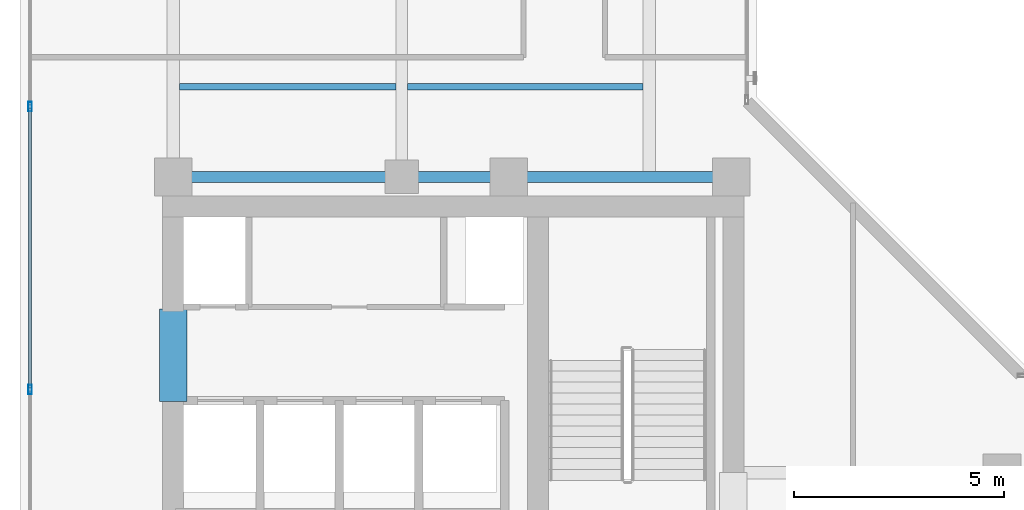
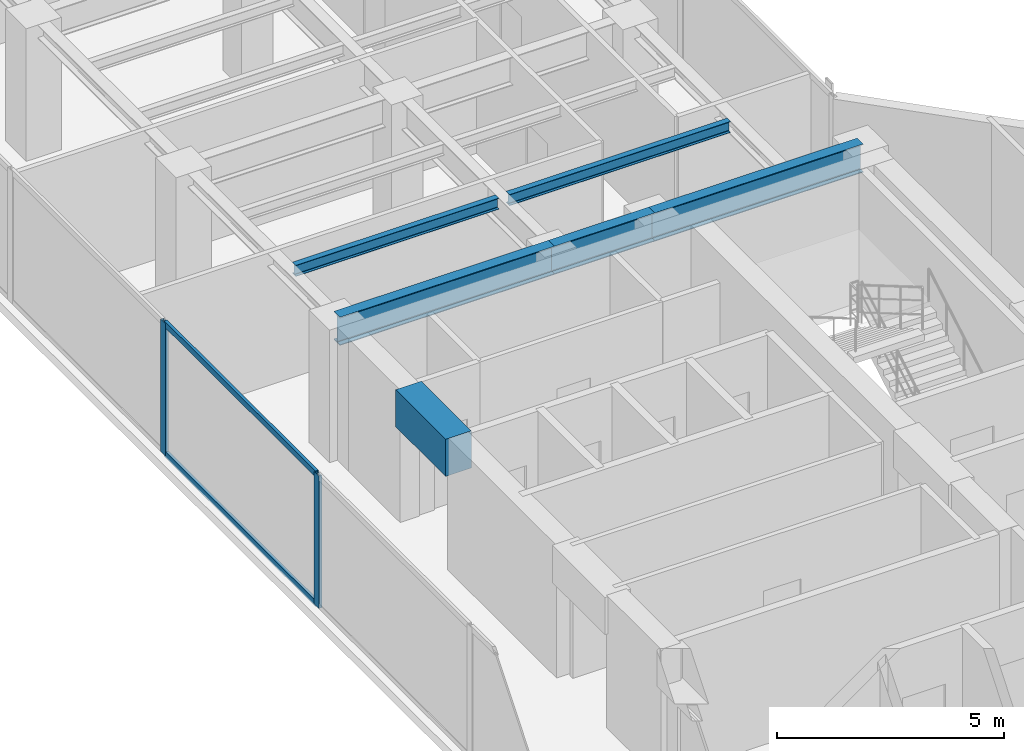
# One storey, part 7 of 22: 6 beams, 4 members, 1 element without a shape of its own.
"""IFC4 building model written with IfcOpenShell, lengths in metres."""

import ifcopenshell
import ifcopenshell.guid

model = None  # the IFC model being written
_history = None  # IfcOwnerHistory: only IFC2X3 demands one
_inside = {}  # id of a spatial element -> (the spatial element, [elements in it])
_under = {}  # id of a project, library or spatial element -> (it, [spatial elements below it])
_declared = {}  # id of a project -> (the project, [libraries it declares])
_typed = {}  # id of a type object -> (the type object, [elements of that type])
_made_of = {}  # id of a material, layer set ... -> (it, [elements and type objects made of it])


def new_model(schema):
    """Start an empty IFC model of exactly this schema.

    Asked for "IFC4X3", IfcOpenShell would pick the latest addendum, in which some entities
    have other attributes; the version numbers below select the first issue.
    IFC2X3 requires an IfcOwnerHistory on every rooted entity: one is made here for all.
    """
    global model, _history
    if schema == "IFC4X3":
        model = ifcopenshell.file(schema_version=(4, 3, 0, 0))
    else:
        model = ifcopenshell.file(schema=schema)
    _inside.clear()
    _under.clear()
    _declared.clear()
    _typed.clear()
    _made_of.clear()
    _history = None
    if model.schema == "IFC2X3":
        org = make("IfcOrganization", Name="unknown")
        user = make(
            "IfcPersonAndOrganization",
            ThePerson=make("IfcPerson", FamilyName="unknown"),
            TheOrganization=org,
        )
        app = make(
            "IfcApplication",
            ApplicationDeveloper=org,
            Version="unknown",
            ApplicationFullName="unknown",
            ApplicationIdentifier="unknown",
        )
        _history = make(
            "IfcOwnerHistory",
            OwningUser=user,
            OwningApplication=app,
            ChangeAction="ADDED",
            CreationDate=0,
        )
    return model


def make(cls, **values):
    """One entity of the class cls with the attributes given. An attribute that is None is left unset."""
    return model.create_entity(
        cls, **{name: value for name, value in values.items() if value is not None}
    )


def rooted(cls, **values):
    """An entity with a GlobalId (a new one), such as an element, a storey or a relation."""
    return make(cls, GlobalId=ifcopenshell.guid.new(), OwnerHistory=_history, **values)


def si_unit(unit_type, name, prefix=None):
    """IfcSIUnit, for example si_unit("LENGTHUNIT", "METRE", prefix="MILLI")."""
    return make("IfcSIUnit", UnitType=unit_type, Prefix=prefix, Name=name)


def assignment(units):
    """IfcUnitAssignment: the units of a project."""
    return None if units is None else make("IfcUnitAssignment", Units=units)


def point(xyz):
    """IfcCartesianPoint."""
    return None if xyz is None else make("IfcCartesianPoint", Coordinates=xyz)


def direction(xyz):
    """IfcDirection."""
    return None if xyz is None else make("IfcDirection", DirectionRatios=xyz)


def frame(location, z_axis=None, x_axis=None):
    """IfcAxis2Placement3D, a coordinate frame: its origin and axes. An axis left out is left unset."""
    return make(
        "IfcAxis2Placement3D",
        Location=point(location),
        Axis=direction(z_axis),
        RefDirection=direction(x_axis),
    )


def frame_2d(location, x_axis=None):
    """IfcAxis2Placement2D, a coordinate frame in the plane: its origin and x axis."""
    return make(
        "IfcAxis2Placement2D", Location=point(location), RefDirection=direction(x_axis)
    )


def origin():
    """The frame at (0, 0, 0) with its axes left unset."""
    return frame((0.0, 0.0, 0.0))


def origin_with_axes():
    """The frame at (0, 0, 0) with the z axis (0, 0, 1) and the x axis (1, 0, 0) written out."""
    return frame((0.0, 0.0, 0.0), z_axis=(0.0, 0.0, 1.0), x_axis=(1.0, 0.0, 0.0))


def origin_2d():
    """The frame at (0, 0) in the plane with its x axis left unset."""
    return frame_2d((0.0, 0.0))


def place(relative_to, where):
    """IfcLocalPlacement: puts the frame where relative to a parent placement (None: the world)."""
    return make(
        "IfcLocalPlacement", PlacementRelTo=relative_to, RelativePlacement=where
    )


def context(
    kind, dimensions, precision=None, world=None, true_north=None, identifier=None
):
    """IfcGeometricRepresentationContext, for example the 3D "Model" context."""
    return make(
        "IfcGeometricRepresentationContext",
        ContextIdentifier=identifier,
        ContextType=kind,
        CoordinateSpaceDimension=dimensions,
        Precision=precision,
        WorldCoordinateSystem=world,
        TrueNorth=true_north,
    )


def subcontext(parent, identifier, kind, view, scale=None):
    """IfcGeometricRepresentationSubContext, for example "Body" below "Model"."""
    return make(
        "IfcGeometricRepresentationSubContext",
        ContextIdentifier=identifier,
        ContextType=kind,
        ParentContext=parent,
        TargetScale=scale,
        TargetView=view,
    )


def project(units=None, contexts=None):
    """IfcProject with its units and contexts."""
    return rooted(
        "IfcProject",
        Name="project",
        RepresentationContexts=contexts,
        UnitsInContext=assignment(units),
    )


def spatial(cls, under=None, at=None, **own):
    """A site, building, storey or space (cls), placed at a placement, below another one or the project."""
    s = rooted(cls, ObjectPlacement=at, **own)
    if under is not None:
        _under.setdefault(under.id(), (under, []))[1].append(s)
    return s


def profile(cls, at=None, kind="AREA", **sizes):
    """A parametric profile (cls). Its sizes go by their IFC names, for example OverallWidth=200.0."""
    return make(cls, ProfileType=kind, Position=at, **sizes)


def rectangle(**sizes):
    """IfcRectangleProfileDef."""
    return profile("IfcRectangleProfileDef", **sizes)


def hollow_rectangle(**sizes):
    """IfcRectangleHollowProfileDef."""
    return profile("IfcRectangleHollowProfileDef", **sizes)


def i_section(**sizes):
    """IfcIShapeProfileDef."""
    return profile("IfcIShapeProfileDef", **sizes)


def extrude(swept, where, along, depth):
    """IfcExtrudedAreaSolid: the profile swept, set in the frame where, extruded along a direction by depth."""
    return make(
        "IfcExtrudedAreaSolid",
        SweptArea=swept,
        Position=where,
        ExtrudedDirection=direction(along),
        Depth=depth,
    )


def shape(context_of_items, identifier, shape_type, items):
    """IfcShapeRepresentation: the items that make up one representation, for example the "Body"."""
    return make(
        "IfcShapeRepresentation",
        ContextOfItems=context_of_items,
        RepresentationIdentifier=identifier,
        RepresentationType=shape_type,
        Items=items,
    )


def source(mapping_origin, context_of_items, identifier, shape_type, items):
    """IfcRepresentationMap: a shape defined once, which mapped items show again and again."""
    return make(
        "IfcRepresentationMap",
        MappingOrigin=mapping_origin,
        MappedRepresentation=shape(context_of_items, identifier, shape_type, items),
    )


def transform(
    local_origin,
    x_axis=None,
    y_axis=None,
    z_axis=None,
    scale=None,
    scale2=None,
    scale3=None,
    uniform=True,
):
    """IfcCartesianTransformationOperator3D, or its non-uniform kind. x_axis, y_axis, z_axis: its Axis1, 2, 3."""
    if uniform:
        return make(
            "IfcCartesianTransformationOperator3D",
            Axis1=direction(x_axis),
            Axis2=direction(y_axis),
            LocalOrigin=point(local_origin),
            Scale=scale,
            Axis3=direction(z_axis),
        )
    return make(
        "IfcCartesianTransformationOperator3DnonUniform",
        Axis1=direction(x_axis),
        Axis2=direction(y_axis),
        LocalOrigin=point(local_origin),
        Scale=scale,
        Axis3=direction(z_axis),
        Scale2=scale2,
        Scale3=scale3,
    )


def mapped(mapping_source, mapping_target):
    """IfcMappedItem: shows the shape of a source again, moved by a transform."""
    return make(
        "IfcMappedItem", MappingSource=mapping_source, MappingTarget=mapping_target
    )


def material(Name=None, Category=None):
    """IfcMaterial."""
    return make("IfcMaterial", Name=Name, Category=Category)


def layer(
    of_material, thickness, ventilated=None, Name=None, Category=None, Priority=None
):
    """IfcMaterialLayer: one layer of a wall or slab, of a material (None: an air gap)."""
    return make(
        "IfcMaterialLayer",
        Material=of_material,
        LayerThickness=thickness,
        IsVentilated=ventilated,
        Name=Name,
        Category=Category,
        Priority=Priority,
    )


def layer_set(layers, Name=None):
    """IfcMaterialLayerSet."""
    return make("IfcMaterialLayerSet", MaterialLayers=layers, LayerSetName=Name)


def material_profile(
    of_material, cross_section, Name=None, Category=None, Priority=None
):
    """IfcMaterialProfile: a cross section and its material."""
    return make(
        "IfcMaterialProfile",
        Name=Name,
        Material=of_material,
        Profile=cross_section,
        Priority=Priority,
        Category=Category,
    )


def profile_set(profiles, Name=None, composite=None):
    """IfcMaterialProfileSet."""
    return make(
        "IfcMaterialProfileSet",
        Name=Name,
        MaterialProfiles=profiles,
        CompositeProfile=composite,
    )


def made_of(thing, what):
    """Note that an element or type object is made of a material, layer set ...; save() writes the relation."""
    if what is not None:
        _made_of.setdefault(what.id(), (what, []))[1].append(thing)
    return thing


def type_object(cls, material=None, **own):
    """A type object (cls), such as IfcWallType, which elements share."""
    return made_of(rooted(cls, **own), material)


def element(
    cls,
    number,
    at=None,
    inside=None,
    cuts=None,
    type_object=None,
    material=None,
    context=None,
    identifier="Body",
    shape_type=None,
    held_by="IfcProductDefinitionShape",
    body=None,
    shapes=None,
    **own,
):
    """One element of the class cls, such as IfcWall. Its Tag is "e" and its number.

    at: its placement. inside: the storey or other place that contains it. cuts: it is an
    opening in that element (IfcRelVoidsElement). A single representation is given by context,
    identifier, shape_type and body (its items); several are given by shapes. held_by: the class
    of the entity that holds the representations. save() writes the other relations.
    """
    e = rooted(cls, Tag="e%d" % number, ObjectPlacement=at, **own)
    if body is not None:
        shapes = [shape(context, identifier, shape_type, body)]
    if shapes is not None:
        e.Representation = make(held_by, Representations=shapes)
    if inside is not None:
        _inside.setdefault(inside.id(), (inside, []))[1].append(e)
    if cuts is not None:
        rooted(
            "IfcRelVoidsElement", RelatingBuildingElement=cuts, RelatedOpeningElement=e
        )
    if type_object is not None:
        _typed.setdefault(type_object.id(), (type_object, []))[1].append(e)
    return made_of(e, material)


def aggregate(whole, parts):
    """IfcRelAggregates: a whole, such as a stair, and the parts it consists of."""
    return rooted("IfcRelAggregates", RelatingObject=whole, RelatedObjects=parts)


def save(model, path):
    """Write the relations noted so far, then the file.

    IfcRelAggregates (storeys below a building ...), IfcRelContainedInSpatialStructure (elements
    in a storey), IfcRelDefinesByType, IfcRelAssociatesMaterial and IfcRelDeclares: one each for
    every whole, place, type object, material and project.
    """
    for whole, parts in _under.values():
        aggregate(whole, parts)
    for where, things in _inside.values():
        rooted(
            "IfcRelContainedInSpatialStructure",
            RelatedElements=things,
            RelatingStructure=where,
        )
    for kind, things in _typed.values():
        rooted("IfcRelDefinesByType", RelatedObjects=things, RelatingType=kind)
    for what, things in _made_of.values():
        rooted("IfcRelAssociatesMaterial", RelatedObjects=things, RelatingMaterial=what)
    for by, libraries in _declared.values():
        rooted("IfcRelDeclares", RelatingContext=by, RelatedDefinitions=libraries)
    model.write(path)


model = new_model("IFC4")

# Units and contexts
model_context = context("Model", 3, precision=1e-05, world=origin(), true_north=direction((0.0, 1.0)))
body_context = subcontext(model_context, "Body", "Model", "MODEL_VIEW")
ifc_project = project(units=[si_unit("LENGTHUNIT", "METRE"), si_unit("AREAUNIT", "SQUARE_METRE"), si_unit("VOLUMEUNIT", "CUBIC_METRE"), si_unit("PLANEANGLEUNIT", "RADIAN"), si_unit("MASSUNIT", "GRAM", prefix="KILO")], contexts=[model_context])

# Site, building, storey
site_placement = place(None, origin())
site = spatial("IfcSite", under=ifc_project, at=site_placement, CompositionType="ELEMENT")
building_placement = place(site_placement, origin())
building = spatial("IfcBuilding", under=site, at=building_placement, Name="Kolvaren Waterfront Exchange", CompositionType="ELEMENT")
storey_placement = place(building_placement, frame((0.0, 0.0, 278.0)))
storey = spatial("IfcBuildingStorey", under=building, at=storey_placement, Name="L71", CompositionType="ELEMENT", Elevation=278.0)

# Beams
ifc_material_1 = material(Name="Steel S355", Category="steel")
ifc_material_profile_1 = material_profile(ifc_material_1, i_section(OverallWidth=0.14990234375, OverallDepth=0.300048828125, WebThickness=0.007080078125, FlangeThickness=0.0107421875, FilletRadius=0.014892578125, at=origin_2d()), Name="IPE300")
ifc_profile_set_1 = profile_set([ifc_material_profile_1], Name="Steel S355")
beam_type_1 = type_object("IfcBeamType", Name="STR-BM-IPE300", PredefinedType="JOIST", material=ifc_profile_set_1)
beam_1_placement = place(storey_placement, frame((7.60205078125, 26.60009765625, 3.409912109375), z_axis=(1.0, 0.0, 0.0), x_axis=(0.0, 1.0, 0.0)))
element("IfcBeam", 1, at=beam_1_placement, inside=storey, type_object=beam_type_1, Name="L71 north-arm composite joist 1A", PredefinedType="JOIST", context=body_context, shape_type="SweptSolid", body=[
    extrude(i_section(OverallWidth=0.14990234375, OverallDepth=0.300048828125, WebThickness=0.007080078125, FlangeThickness=0.0107421875, FilletRadius=0.014892578125, at=origin_2d()), origin(), (0.0, 0.0, 1.0), 5.162353515625),
])
beam_2_placement = place(storey_placement, frame((13.035400390625, 26.60009765625, 3.409912109375), z_axis=(1.0, 0.0, 0.0), x_axis=(0.0, 1.0, 0.0)))
element("IfcBeam", 2, at=beam_2_placement, inside=storey, type_object=beam_type_1, Name="L71 north-arm composite joist 1B", PredefinedType="JOIST", context=body_context, shape_type="SweptSolid", body=[
    extrude(i_section(OverallWidth=0.14990234375, OverallDepth=0.300048828125, WebThickness=0.007080078125, FlangeThickness=0.0107421875, FilletRadius=0.014892578125, at=origin_2d()), origin(), (0.0, 0.0, 1.0), 5.612548828125),
])
ifc_material_profile_2 = material_profile(ifc_material_1, i_section(OverallWidth=0.26708984375, OverallDepth=0.761962890625, WebThickness=0.014404296875, FlangeThickness=0.021484375, FilletRadius=0.01708984375, at=origin_2d()), Name="IPE750x173")
ifc_profile_set_2 = profile_set([ifc_material_profile_2], Name="Steel S355")
beam_type_2 = type_object("IfcBeamType", Name="STR-BM-IPE750", PredefinedType="BEAM", material=ifc_profile_set_2)
beam_3_placement = place(storey_placement, frame((7.449951171875, 24.449951171875, 3.178955078125), z_axis=(1.0, 0.0, 0.0), x_axis=(0.0, 1.0, 0.0)))
element("IfcBeam", 3, at=beam_3_placement, inside=storey, type_object=beam_type_2, Name="L71 north-arm girder 1A", PredefinedType="BEAM", context=body_context, shape_type="SweptSolid", body=[
    extrude(i_section(OverallWidth=0.26708984375, OverallDepth=0.761962890625, WebThickness=0.014404296875, FlangeThickness=0.021484375, FilletRadius=0.01708984375, at=origin_2d()), origin(), (0.0, 0.0, 1.0), 5.449951171875),
])
beam_4_placement = place(storey_placement, frame((12.89990234375, 24.449951171875, 3.178955078125), z_axis=(1.0, 0.0, 0.0), x_axis=(0.0, 1.0, 0.0)))
element("IfcBeam", 4, at=beam_4_placement, inside=storey, type_object=beam_type_2, Name="L71 north-arm girder 1B", PredefinedType="BEAM", context=body_context, shape_type="SweptSolid", body=[
    extrude(i_section(OverallWidth=0.26708984375, OverallDepth=0.761962890625, WebThickness=0.014404296875, FlangeThickness=0.021484375, FilletRadius=0.01708984375, at=origin_2d()), origin(), (0.0, 0.0, 1.0), 2.550048828125),
])
beam_5_placement = place(storey_placement, frame((15.449951171875, 24.449951171875, 3.178955078125), z_axis=(1.0, 0.0, 0.0), x_axis=(0.0, 1.0, 0.0)))
element("IfcBeam", 5, at=beam_5_placement, inside=storey, type_object=beam_type_2, Name="L71 north-arm girder 1C", PredefinedType="BEAM", context=body_context, shape_type="SweptSolid", body=[
    extrude(i_section(OverallWidth=0.26708984375, OverallDepth=0.761962890625, WebThickness=0.014404296875, FlangeThickness=0.021484375, FilletRadius=0.01708984375, at=origin_2d()), origin(), (0.0, 0.0, 1.0), 5.300048828125),
])
ifc_material_2 = material(Name="Concrete C60/75", Category="concrete")
ifc_material_profile_3 = material_profile(ifc_material_2, rectangle(XDim=0.64990234375, YDim=1.0, at=origin_2d()), Name="RC-CB-1000x650")
ifc_profile_set_3 = profile_set([ifc_material_profile_3], Name="Concrete C60/75")
beam_type_3 = type_object("IfcBeamType", Name="STR-CB-1000", PredefinedType="SPANDREL", material=ifc_profile_set_3)
beam_6_placement = place(storey_placement, frame((7.449951171875, 19.10009765625, 3.06005859375), z_axis=(0.0, 1.0, 0.0), x_axis=(-1.0, 0.0, 0.0)))
element("IfcBeam", 6, at=beam_6_placement, inside=storey, type_object=beam_type_3, Name="L71 core coupling beam 5", PredefinedType="SPANDREL", context=body_context, shape_type="SweptSolid", body=[
    extrude(rectangle(XDim=0.64990234375, YDim=1.0, at=origin_2d()), origin(), (0.0, 0.0, 1.0), 2.199951171875),
])

# Curtain wall, members
ifc_material_3 = material(Name="Anodised aluminium 6063-T6", Category="aluminium")
ifc_layer = layer(ifc_material_3, 0.219970703125, Name="Anodised aluminium 6063-T6")
ifc_layer_set = layer_set([ifc_layer], Name="Anodised aluminium 6063-T6")
curtain_wall_type = type_object("IfcCurtainWallType", Name="ARC-CW-SYS2", PredefinedType="USERDEFINED", material=ifc_layer_set)
curtain_wall_placement = place(storey_placement, origin())
curtain_wall = element("IfcCurtainWall", 7, at=curtain_wall_placement, inside=storey, type_object=curtain_wall_type, Name="L71 stick curtain wall CW2 (CW-L71-W)", ObjectType="STICK CURTAIN WALL", PredefinedType="USERDEFINED")
ifc_material_profile_4 = material_profile(ifc_material_3, hollow_rectangle(XDim=0.080078125, YDim=0.219970703125, WallThickness=0.0048828125, at=origin_2d()), Name="ALU-MUL-220x80x5")
ifc_profile_set_4 = profile_set([ifc_material_profile_4], Name="Anodised aluminium 6063-T6")
member_type_1 = type_object("IfcMemberType", Name="ARC-CWM-220", PredefinedType="MULLION", material=ifc_profile_set_4)
shared_shape_1 = source(origin_with_axes(), body_context, "Body", "SweptSolid", [
    extrude(hollow_rectangle(XDim=0.080078125, YDim=0.219970703125, WallThickness=0.0048828125, at=origin_2d()), origin(), (0.0, 0.0, 1.0), 3.56005859375),
])
member_1_placement = place(storey_placement, frame((4.0400390625, 19.38427734375, 0.0), z_axis=(0.0, 0.0, 1.0), x_axis=(-1.0, 0.0, 0.0)))
member_1 = element("IfcMember", 8, at=member_1_placement, type_object=member_type_1, Name="CW2 mullion 3", PredefinedType="MULLION", context=body_context, shape_type="MappedRepresentation", body=[
    mapped(shared_shape_1, transform((0.0, 0.0, 0.0), x_axis=(1.0, 0.0, 0.0), y_axis=(0.0, 1.0, 0.0), z_axis=(0.0, 0.0, 1.0), scale=1.0)),
])
member_2_placement = place(storey_placement, frame((4.0400390625, 26.126220703125, 0.0), z_axis=(0.0, 0.0, 1.0), x_axis=(-1.0, 0.0, 0.0)))
member_2 = element("IfcMember", 9, at=member_2_placement, type_object=member_type_1, Name="CW2 mullion 4", PredefinedType="MULLION", context=body_context, shape_type="MappedRepresentation", body=[
    mapped(shared_shape_1, transform((0.0, 0.0, 0.0), x_axis=(1.0, 0.0, 0.0), y_axis=(0.0, 1.0, 0.0), z_axis=(0.0, 0.0, 1.0), scale=1.0)),
])
ifc_material_profile_5 = material_profile(ifc_material_3, hollow_rectangle(XDim=0.074951171875, YDim=0.159912109375, WallThickness=0.00439453125, at=origin_2d()), Name="ALU-TRN-160x75x4.5")
ifc_profile_set_5 = profile_set([ifc_material_profile_5], Name="Anodised aluminium 6063-T6")
member_type_2 = type_object("IfcMemberType", Name="ARC-CWT-160", PredefinedType="USERDEFINED", material=ifc_profile_set_5)
shared_shape_2 = source(origin_with_axes(), body_context, "Body", "SweptSolid", [
    extrude(hollow_rectangle(XDim=0.074951171875, YDim=0.159912109375, WallThickness=0.00439453125, at=origin_2d()), origin(), (0.0, 0.0, 1.0), 6.661865234375),
])
member_3_placement = place(storey_placement, frame((4.0400390625, 19.42431640625, 0.03759765625), z_axis=(0.0, 1.0, 0.0), x_axis=(-1.0, 0.0, 0.0)))
member_3 = element("IfcMember", 10, at=member_3_placement, type_object=member_type_2, Name="CW2 transom 3.1", ObjectType="TRANSOM", PredefinedType="USERDEFINED", context=body_context, shape_type="MappedRepresentation", body=[
    mapped(shared_shape_2, transform((0.0, 0.0, 0.0), x_axis=(1.0, 0.0, 0.0), y_axis=(0.0, 1.0, 0.0), z_axis=(0.0, 0.0, 1.0), scale=1.0)),
])
member_4_placement = place(storey_placement, frame((4.0400390625, 19.42431640625, 3.5224609375), z_axis=(0.0, 1.0, 0.0), x_axis=(-1.0, 0.0, 0.0)))
member_4 = element("IfcMember", 11, at=member_4_placement, type_object=member_type_2, Name="CW2 transom 3.2", ObjectType="TRANSOM", PredefinedType="USERDEFINED", context=body_context, shape_type="MappedRepresentation", body=[
    mapped(shared_shape_2, transform((0.0, 0.0, 0.0), x_axis=(1.0, 0.0, 0.0), y_axis=(0.0, 1.0, 0.0), z_axis=(0.0, 0.0, 1.0), scale=1.0)),
])
aggregate(curtain_wall, [member_1, member_2, member_3, member_4])

save(model, "model.ifc")
